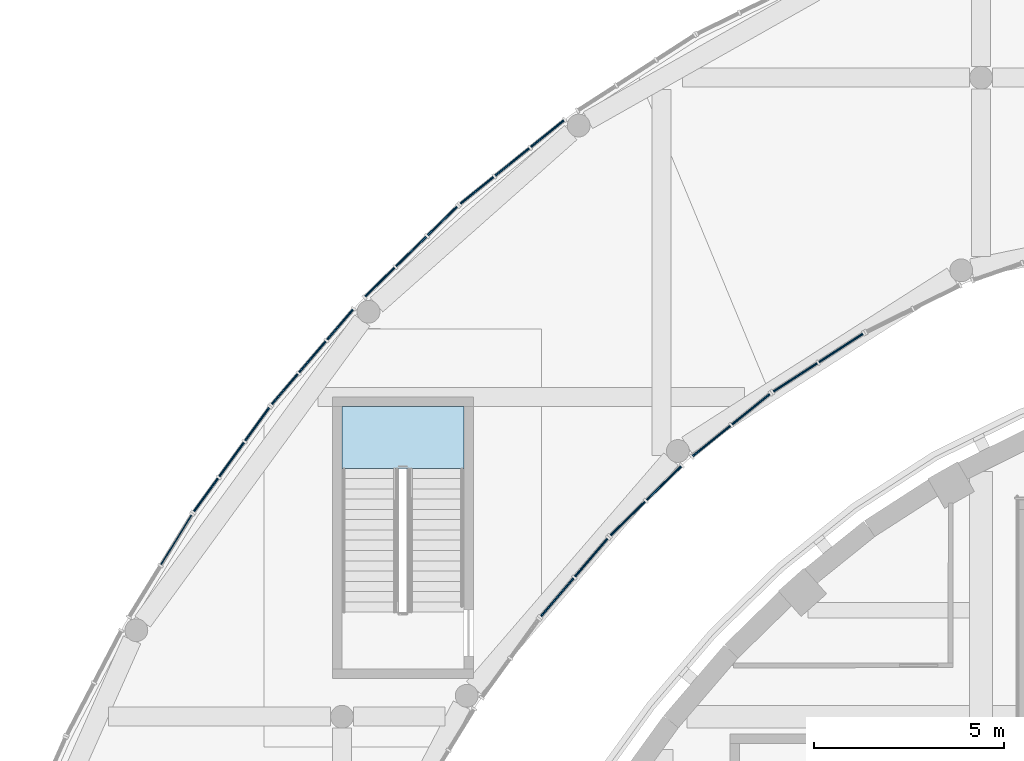
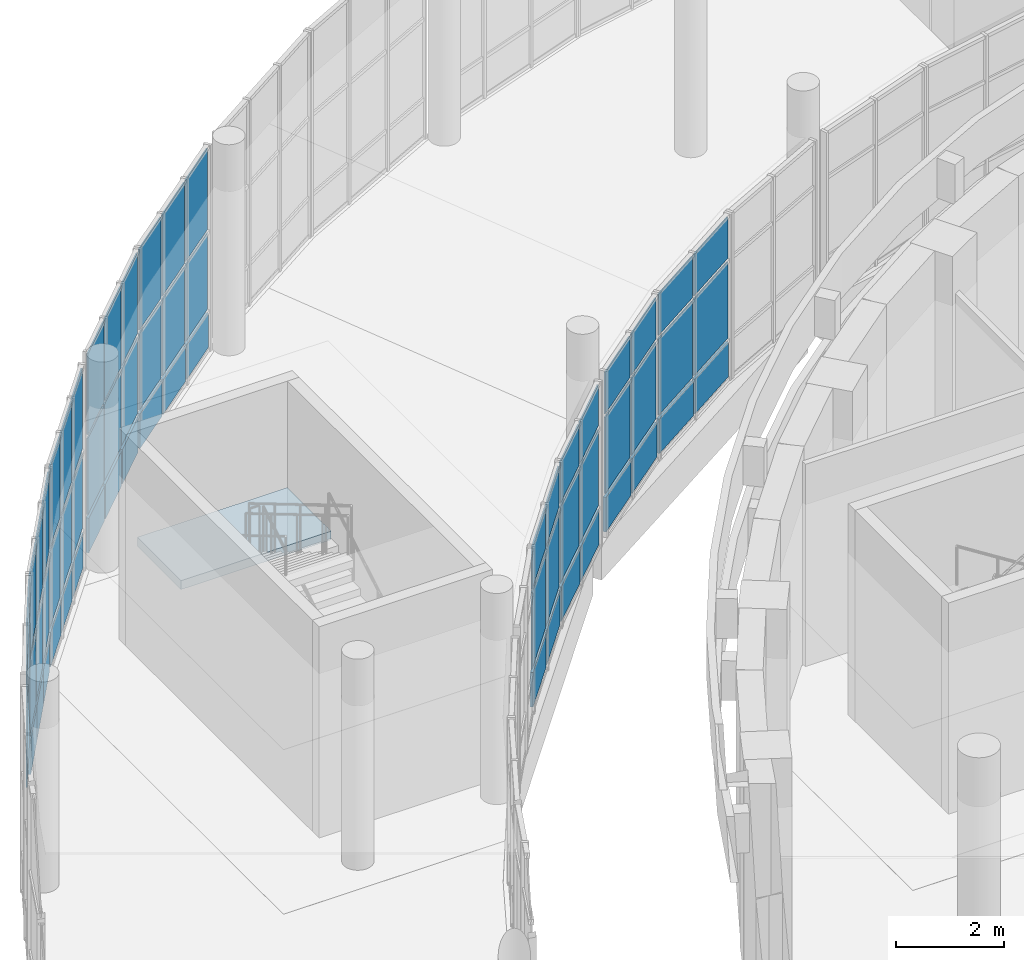
# One storey, part 51 of 119: 62 plates, 1 slab, 10 elements without a shape of their own.
"""IFC4 building model written with IfcOpenShell, lengths in metres."""

from ifc_helpers import new_model, si_unit, direction, frame, origin, origin_2d, place, context, subcontext, project, spatial, polyline, rectangle, outline, extrude, material, layer, layer_set, type_object, element, aggregate, save


model = new_model("IFC4")

# Units and contexts
model_context = context("Model", 3, precision=1e-05, world=origin(), true_north=direction((0.0, 1.0)))
body_context = subcontext(model_context, "Body", "Model", "MODEL_VIEW")
ifc_project = project(units=[si_unit("LENGTHUNIT", "METRE"), si_unit("AREAUNIT", "SQUARE_METRE"), si_unit("VOLUMEUNIT", "CUBIC_METRE"), si_unit("PLANEANGLEUNIT", "RADIAN"), si_unit("MASSUNIT", "GRAM", prefix="KILO")], contexts=[model_context])

# Site, building, storey
site_placement = place(None, origin())
site = spatial("IfcSite", under=ifc_project, at=site_placement, CompositionType="ELEMENT")
building_placement = place(site_placement, origin())
building = spatial("IfcBuilding", under=site, at=building_placement, Name="Larchfold Concert Hall", CompositionType="ELEMENT")
storey_placement = place(building_placement, frame((0.0, 0.0, 4.800048828125)))
storey = spatial("IfcBuildingStorey", under=building, at=storey_placement, Name="L01", CompositionType="ELEMENT", Elevation=4.800048828125)

# Curtain wall, plates
ifc_material_1 = material(Name="Anodised graphite aluminium curtain wall", Category="aluminium")
ifc_layer_1 = layer(ifc_material_1, 0.14990234375)
ifc_layer_set_1 = layer_set([ifc_layer_1], Name="Anodised graphite aluminium curtain wall")
curtain_wall_type = type_object("IfcCurtainWallType", Name="Curtain wall WG", PredefinedType="NOTDEFINED", material=ifc_layer_set_1)
curtain_wall_1_placement = place(storey_placement, origin())
curtain_wall_1 = element("IfcCurtainWall", 1, at=curtain_wall_1_placement, inside=storey, type_object=curtain_wall_type, Name="Curtain wall CW0158", PredefinedType="NOTDEFINED")
ifc_material_2 = material(Name="Insulated glazing unit, glass", Category="glass")
ifc_layer_2 = layer(ifc_material_2, 0.028076171875)
ifc_layer_set_2 = layer_set([ifc_layer_2], Name="Insulated glazing unit, glass")
plate_type_1 = type_object("IfcPlateType", Name="Glass panel 28", PredefinedType="CURTAIN_PANEL", material=ifc_layer_set_2)
plate_1_placement = place(storey_placement, frame((23.057861328125, 112.9404296875, 0.93994140625), z_axis=(0.0, 0.0, 1.0), x_axis=(0.650511975245, 0.759495997398, 0.0)))
plate_1 = element("IfcPlate", 2, at=plate_1_placement, type_object=plate_type_1, Name="CW0158 panel 1.2", PredefinedType="CURTAIN_PANEL", context=body_context, shape_type="SweptSolid", body=[
    extrude(rectangle(XDim=1.3134765625, YDim=0.028076171875, at=origin_2d()), origin(), (0.0, 0.0, 1.0), 1.719970703125),
])
plate_2_placement = place(storey_placement, frame((23.057861328125, 112.9404296875, 2.740234375), z_axis=(0.0, 0.0, 1.0), x_axis=(0.650511975245, 0.759495997398, 0.0)))
plate_2 = element("IfcPlate", 3, at=plate_2_placement, type_object=plate_type_1, Name="CW0158 panel 1.3", PredefinedType="CURTAIN_PANEL", context=body_context, shape_type="SweptSolid", body=[
    extrude(rectangle(XDim=1.3134765625, YDim=0.028076171875, at=origin_2d()), origin(), (0.0, 0.0, 1.0), 0.929931640625),
])
plate_3_placement = place(storey_placement, frame((23.951171875, 113.9833984375, 0.93994140625), z_axis=(0.0, 0.0, 1.0), x_axis=(0.650511975245, 0.759495997398, 0.0)))
plate_3 = element("IfcPlate", 4, at=plate_3_placement, type_object=plate_type_1, Name="CW0158 panel 2.2", PredefinedType="CURTAIN_PANEL", context=body_context, shape_type="SweptSolid", body=[
    extrude(rectangle(XDim=1.3134765625, YDim=0.028076171875, at=origin_2d()), origin(), (0.0, 0.0, 1.0), 1.719970703125),
])
plate_4_placement = place(storey_placement, frame((23.951171875, 113.9833984375, 2.740234375), z_axis=(0.0, 0.0, 1.0), x_axis=(0.650511975245, 0.759495997398, 0.0)))
plate_4 = element("IfcPlate", 5, at=plate_4_placement, type_object=plate_type_1, Name="CW0158 panel 2.3", PredefinedType="CURTAIN_PANEL", context=body_context, shape_type="SweptSolid", body=[
    extrude(rectangle(XDim=1.3134765625, YDim=0.028076171875, at=origin_2d()), origin(), (0.0, 0.0, 1.0), 0.929931640625),
])

curtain_wall_2_placement = place(storey_placement, origin())
curtain_wall_2 = element("IfcCurtainWall", 6, at=curtain_wall_2_placement, inside=storey, type_object=curtain_wall_type, Name="Curtain wall CW0159", PredefinedType="NOTDEFINED")
plate_5_placement = place(storey_placement, frame((24.912841796875, 115.01220703125, 0.93994140625), z_axis=(0.0, 0.0, 1.0), x_axis=(0.715031677223, 0.69909205443, 0.0)))
plate_5 = element("IfcPlate", 7, at=plate_5_placement, type_object=plate_type_1, Name="CW0159 panel 1.2", PredefinedType="CURTAIN_PANEL", context=body_context, shape_type="SweptSolid", body=[
    extrude(rectangle(XDim=1.265625, YDim=0.028076171875, at=origin_2d()), origin(), (0.0, 0.0, 1.0), 1.719970703125),
])
plate_6_placement = place(storey_placement, frame((24.912841796875, 115.01220703125, 2.740234375), z_axis=(0.0, 0.0, 1.0), x_axis=(0.715031677223, 0.69909205443, 0.0)))
plate_6 = element("IfcPlate", 8, at=plate_6_placement, type_object=plate_type_1, Name="CW0159 panel 1.3", PredefinedType="CURTAIN_PANEL", context=body_context, shape_type="SweptSolid", body=[
    extrude(rectangle(XDim=1.265625, YDim=0.028076171875, at=origin_2d()), origin(), (0.0, 0.0, 1.0), 0.929931640625),
])
plate_7_placement = place(storey_placement, frame((25.860595703125, 115.938720703125, 0.93994140625), z_axis=(0.0, 0.0, 1.0), x_axis=(0.715031677223, 0.69909205443, 0.0)))
plate_7 = element("IfcPlate", 9, at=plate_7_placement, type_object=plate_type_1, Name="CW0159 panel 2.2", PredefinedType="CURTAIN_PANEL", context=body_context, shape_type="SweptSolid", body=[
    extrude(rectangle(XDim=1.265625, YDim=0.028076171875, at=origin_2d()), origin(), (0.0, 0.0, 1.0), 1.719970703125),
])
plate_8_placement = place(storey_placement, frame((25.860595703125, 115.938720703125, 2.740234375), z_axis=(0.0, 0.0, 1.0), x_axis=(0.715031677223, 0.69909205443, 0.0)))
plate_8 = element("IfcPlate", 10, at=plate_8_placement, type_object=plate_type_1, Name="CW0159 panel 2.3", PredefinedType="CURTAIN_PANEL", context=body_context, shape_type="SweptSolid", body=[
    extrude(rectangle(XDim=1.265625, YDim=0.028076171875, at=origin_2d()), origin(), (0.0, 0.0, 1.0), 0.929931640625),
])

curtain_wall_3_placement = place(storey_placement, origin())
curtain_wall_3 = element("IfcCurtainWall", 11, at=curtain_wall_3_placement, inside=storey, type_object=curtain_wall_type, Name="Curtain wall CW0160", PredefinedType="NOTDEFINED")
plate_9_placement = place(storey_placement, frame((27.11376953125, 117.04931640625, 0.93994140625), z_axis=(0.0, 0.0, 1.0), x_axis=(0.779068419245, 0.626938911007, 0.0)))
plate_9 = element("IfcPlate", 12, at=plate_9_placement, type_object=plate_type_1, Name="CW0160 panel 1.2", PredefinedType="CURTAIN_PANEL", context=body_context, shape_type="SweptSolid", body=[
    extrude(rectangle(XDim=1.2685546875, YDim=0.028076171875, at=origin_2d()), origin(), (0.0, 0.0, 1.0), 1.719970703125),
])
plate_10_placement = place(storey_placement, frame((27.11376953125, 117.04931640625, 2.740234375), z_axis=(0.0, 0.0, 1.0), x_axis=(0.779068419245, 0.626938911007, 0.0)))
plate_10 = element("IfcPlate", 13, at=plate_10_placement, type_object=plate_type_1, Name="CW0160 panel 1.3", PredefinedType="CURTAIN_PANEL", context=body_context, shape_type="SweptSolid", body=[
    extrude(rectangle(XDim=1.2685546875, YDim=0.028076171875, at=origin_2d()), origin(), (0.0, 0.0, 1.0), 0.929931640625),
])
plate_11_placement = place(storey_placement, frame((28.14892578125, 117.882080078125, 0.93994140625), z_axis=(0.0, 0.0, 1.0), x_axis=(0.779068419245, 0.626938911007, 0.0)))
plate_11 = element("IfcPlate", 14, at=plate_11_placement, type_object=plate_type_1, Name="CW0160 panel 2.2", PredefinedType="CURTAIN_PANEL", context=body_context, shape_type="SweptSolid", body=[
    extrude(rectangle(XDim=1.2685546875, YDim=0.028076171875, at=origin_2d()), origin(), (0.0, 0.0, 1.0), 1.719970703125),
])
plate_12_placement = place(storey_placement, frame((28.14892578125, 117.882080078125, 2.740234375), z_axis=(0.0, 0.0, 1.0), x_axis=(0.779068419245, 0.626938911007, 0.0)))
plate_12 = element("IfcPlate", 15, at=plate_12_placement, type_object=plate_type_1, Name="CW0160 panel 2.3", PredefinedType="CURTAIN_PANEL", context=body_context, shape_type="SweptSolid", body=[
    extrude(rectangle(XDim=1.2685546875, YDim=0.028076171875, at=origin_2d()), origin(), (0.0, 0.0, 1.0), 0.929931640625),
])

curtain_wall_4_placement = place(storey_placement, origin())
curtain_wall_4 = element("IfcCurtainWall", 16, at=curtain_wall_4_placement, inside=storey, type_object=curtain_wall_type, Name="Curtain wall CW0161", PredefinedType="NOTDEFINED")
plate_13_placement = place(storey_placement, frame((29.31494140625, 118.720458984375, 0.93994140625), z_axis=(0.0, 0.0, 1.0), x_axis=(0.840478683813, 0.541844610619, 0.0)))
plate_13 = element("IfcPlate", 17, at=plate_13_placement, type_object=plate_type_1, Name="CW0161 panel 1.2", PredefinedType="CURTAIN_PANEL", context=body_context, shape_type="SweptSolid", body=[
    extrude(rectangle(XDim=1.3681640625, YDim=0.028076171875, at=origin_2d()), origin(), (0.0, 0.0, 1.0), 1.719970703125),
])
plate_14_placement = place(storey_placement, frame((29.31494140625, 118.720458984375, 2.740234375), z_axis=(0.0, 0.0, 1.0), x_axis=(0.840478683813, 0.541844610619, 0.0)))
plate_14 = element("IfcPlate", 18, at=plate_14_placement, type_object=plate_type_1, Name="CW0161 panel 1.3", PredefinedType="CURTAIN_PANEL", context=body_context, shape_type="SweptSolid", body=[
    extrude(rectangle(XDim=1.3681640625, YDim=0.028076171875, at=origin_2d()), origin(), (0.0, 0.0, 1.0), 0.929931640625),
])
plate_15_placement = place(storey_placement, frame((30.515380859375, 119.494384765625, 0.93994140625), z_axis=(0.0, 0.0, 1.0), x_axis=(0.840478683813, 0.541844610619, 0.0)))
plate_15 = element("IfcPlate", 19, at=plate_15_placement, type_object=plate_type_1, Name="CW0161 panel 2.2", PredefinedType="CURTAIN_PANEL", context=body_context, shape_type="SweptSolid", body=[
    extrude(rectangle(XDim=1.3681640625, YDim=0.028076171875, at=origin_2d()), origin(), (0.0, 0.0, 1.0), 1.719970703125),
])
plate_16_placement = place(storey_placement, frame((30.515380859375, 119.494384765625, 2.740234375), z_axis=(0.0, 0.0, 1.0), x_axis=(0.840478683813, 0.541844610619, 0.0)))
plate_16 = element("IfcPlate", 20, at=plate_16_placement, type_object=plate_type_1, Name="CW0161 panel 2.3", PredefinedType="CURTAIN_PANEL", context=body_context, shape_type="SweptSolid", body=[
    extrude(rectangle(XDim=1.3681640625, YDim=0.028076171875, at=origin_2d()), origin(), (0.0, 0.0, 1.0), 0.929931640625),
])

curtain_wall_5_placement = place(storey_placement, origin())
curtain_wall_5 = element("IfcCurtainWall", 21, at=curtain_wall_5_placement, inside=storey, type_object=curtain_wall_type, Name="Curtain wall CW0182", PredefinedType="NOTDEFINED")
plate_17_placement = place(storey_placement, frame((22.79736328125, 125.1279296875, 0.93994140625), z_axis=(0.0, 0.0, 1.0), x_axis=(-0.779030225774, -0.626986369334, 0.0)))
plate_17 = element("IfcPlate", 22, at=plate_17_placement, type_object=plate_type_1, Name="CW0182 panel 1.2", PredefinedType="CURTAIN_PANEL", context=body_context, shape_type="SweptSolid", body=[
    extrude(rectangle(XDim=1.11279296875, YDim=0.028076171875, at=origin_2d()), origin(), (0.0, 0.0, 1.0), 1.719970703125),
])
plate_18_placement = place(storey_placement, frame((22.79736328125, 125.1279296875, 2.740234375), z_axis=(0.0, 0.0, 1.0), x_axis=(-0.779030225774, -0.626986369334, 0.0)))
plate_18 = element("IfcPlate", 23, at=plate_18_placement, type_object=plate_type_1, Name="CW0182 panel 1.3", PredefinedType="CURTAIN_PANEL", context=body_context, shape_type="SweptSolid", body=[
    extrude(rectangle(XDim=1.11279296875, YDim=0.028076171875, at=origin_2d()), origin(), (0.0, 0.0, 1.0), 1.829833984375),
])
plate_19_placement = place(storey_placement, frame((21.872314453125, 124.38330078125, 0.93994140625), z_axis=(0.0, 0.0, 1.0), x_axis=(-0.779030225774, -0.626986369334, 0.0)))
plate_19 = element("IfcPlate", 24, at=plate_19_placement, type_object=plate_type_1, Name="CW0182 panel 2.2", PredefinedType="CURTAIN_PANEL", context=body_context, shape_type="SweptSolid", body=[
    extrude(rectangle(XDim=1.142578125, YDim=0.028076171875, at=origin_2d()), origin(), (0.0, 0.0, 1.0), 1.719970703125),
])
plate_20_placement = place(storey_placement, frame((21.872314453125, 124.38330078125, 2.740234375), z_axis=(0.0, 0.0, 1.0), x_axis=(-0.779030225774, -0.626986369334, 0.0)))
plate_20 = element("IfcPlate", 25, at=plate_20_placement, type_object=plate_type_1, Name="CW0182 panel 2.3", PredefinedType="CURTAIN_PANEL", context=body_context, shape_type="SweptSolid", body=[
    extrude(rectangle(XDim=1.142578125, YDim=0.028076171875, at=origin_2d()), origin(), (0.0, 0.0, 1.0), 1.829833984375),
])
plate_21_placement = place(storey_placement, frame((20.947021484375, 123.638671875, 0.93994140625), z_axis=(0.0, 0.0, 1.0), x_axis=(-0.779030225774, -0.626986369334, 0.0)))
plate_21 = element("IfcPlate", 26, at=plate_21_placement, type_object=plate_type_1, Name="CW0182 panel 3.2", PredefinedType="CURTAIN_PANEL", context=body_context, shape_type="SweptSolid", body=[
    extrude(rectangle(XDim=1.11279296875, YDim=0.028076171875, at=origin_2d()), origin(), (0.0, 0.0, 1.0), 1.719970703125),
])
plate_22_placement = place(storey_placement, frame((20.947021484375, 123.638671875, 2.740234375), z_axis=(0.0, 0.0, 1.0), x_axis=(-0.779030225774, -0.626986369334, 0.0)))
plate_22 = element("IfcPlate", 27, at=plate_22_placement, type_object=plate_type_1, Name="CW0182 panel 3.3", PredefinedType="CURTAIN_PANEL", context=body_context, shape_type="SweptSolid", body=[
    extrude(rectangle(XDim=1.11279296875, YDim=0.028076171875, at=origin_2d()), origin(), (0.0, 0.0, 1.0), 1.829833984375),
])

curtain_wall_6_placement = place(storey_placement, origin())
curtain_wall_6 = element("IfcCurtainWall", 28, at=curtain_wall_6_placement, inside=storey, type_object=curtain_wall_type, Name="Curtain wall CW0183", PredefinedType="NOTDEFINED")
plate_23_placement = place(storey_placement, frame((20.0390625, 122.833984375, 0.93994140625), z_axis=(0.0, 0.0, 1.0), x_axis=(-0.714946988038, -0.699178664074, 0.0)))
plate_23 = element("IfcPlate", 29, at=plate_23_placement, type_object=plate_type_1, Name="CW0183 panel 1.2", PredefinedType="CURTAIN_PANEL", context=body_context, shape_type="SweptSolid", body=[
    extrude(rectangle(XDim=1.076416015625, YDim=0.028076171875, at=origin_2d()), origin(), (0.0, 0.0, 1.0), 1.719970703125),
])
plate_24_placement = place(storey_placement, frame((20.0390625, 122.833984375, 2.740234375), z_axis=(0.0, 0.0, 1.0), x_axis=(-0.714946988038, -0.699178664074, 0.0)))
plate_24 = element("IfcPlate", 30, at=plate_24_placement, type_object=plate_type_1, Name="CW0183 panel 1.3", PredefinedType="CURTAIN_PANEL", context=body_context, shape_type="SweptSolid", body=[
    extrude(rectangle(XDim=1.076416015625, YDim=0.028076171875, at=origin_2d()), origin(), (0.0, 0.0, 1.0), 1.829833984375),
])
plate_25_placement = place(storey_placement, frame((19.216064453125, 122.02880859375, 0.93994140625), z_axis=(0.0, 0.0, 1.0), x_axis=(-0.714946988038, -0.699178664074, 0.0)))
plate_25 = element("IfcPlate", 31, at=plate_25_placement, type_object=plate_type_1, Name="CW0183 panel 2.2", PredefinedType="CURTAIN_PANEL", context=body_context, shape_type="SweptSolid", body=[
    extrude(rectangle(XDim=1.1064453125, YDim=0.028076171875, at=origin_2d()), origin(), (0.0, 0.0, 1.0), 1.719970703125),
])
plate_26_placement = place(storey_placement, frame((19.216064453125, 122.02880859375, 2.740234375), z_axis=(0.0, 0.0, 1.0), x_axis=(-0.714946988038, -0.699178664074, 0.0)))
plate_26 = element("IfcPlate", 32, at=plate_26_placement, type_object=plate_type_1, Name="CW0183 panel 2.3", PredefinedType="CURTAIN_PANEL", context=body_context, shape_type="SweptSolid", body=[
    extrude(rectangle(XDim=1.1064453125, YDim=0.028076171875, at=origin_2d()), origin(), (0.0, 0.0, 1.0), 1.829833984375),
])
plate_27_placement = place(storey_placement, frame((18.392822265625, 121.223876953125, 0.93994140625), z_axis=(0.0, 0.0, 1.0), x_axis=(-0.714946988038, -0.699178664074, 0.0)))
plate_27 = element("IfcPlate", 33, at=plate_27_placement, type_object=plate_type_1, Name="CW0183 panel 3.2", PredefinedType="CURTAIN_PANEL", context=body_context, shape_type="SweptSolid", body=[
    extrude(rectangle(XDim=1.076416015625, YDim=0.028076171875, at=origin_2d()), origin(), (0.0, 0.0, 1.0), 1.719970703125),
])
plate_28_placement = place(storey_placement, frame((18.392822265625, 121.223876953125, 2.740234375), z_axis=(0.0, 0.0, 1.0), x_axis=(-0.714946988038, -0.699178664074, 0.0)))
plate_28 = element("IfcPlate", 34, at=plate_28_placement, type_object=plate_type_1, Name="CW0183 panel 3.3", PredefinedType="CURTAIN_PANEL", context=body_context, shape_type="SweptSolid", body=[
    extrude(rectangle(XDim=1.076416015625, YDim=0.028076171875, at=origin_2d()), origin(), (0.0, 0.0, 1.0), 1.829833984375),
])

curtain_wall_7_placement = place(storey_placement, origin())
curtain_wall_7 = element("IfcCurtainWall", 35, at=curtain_wall_7_placement, inside=storey, type_object=curtain_wall_type, Name="Curtain wall CW0184", PredefinedType="NOTDEFINED")
plate_29_placement = place(storey_placement, frame((17.347412109375, 120.108154296875, 0.93994140625), z_axis=(0.0, 0.0, 1.0), x_axis=(-0.650572085911, -0.759444508199, 0.0)))
plate_29 = element("IfcPlate", 36, at=plate_29_placement, type_object=plate_type_1, Name="CW0184 panel 1.2", PredefinedType="CURTAIN_PANEL", context=body_context, shape_type="SweptSolid", body=[
    extrude(rectangle(XDim=1.041015625, YDim=0.028076171875, at=origin_2d()), origin(), (0.0, 0.0, 1.0), 1.719970703125),
])
plate_30_placement = place(storey_placement, frame((17.347412109375, 120.108154296875, 2.740234375), z_axis=(0.0, 0.0, 1.0), x_axis=(-0.650572085911, -0.759444508199, 0.0)))
plate_30 = element("IfcPlate", 37, at=plate_30_placement, type_object=plate_type_1, Name="CW0184 panel 1.3", PredefinedType="CURTAIN_PANEL", context=body_context, shape_type="SweptSolid", body=[
    extrude(rectangle(XDim=1.041015625, YDim=0.028076171875, at=origin_2d()), origin(), (0.0, 0.0, 1.0), 1.829833984375),
])
plate_31_placement = place(storey_placement, frame((16.62158203125, 119.2607421875, 0.93994140625), z_axis=(0.0, 0.0, 1.0), x_axis=(-0.650572085911, -0.759444508199, 0.0)))
plate_31 = element("IfcPlate", 38, at=plate_31_placement, type_object=plate_type_1, Name="CW0184 panel 2.2", PredefinedType="CURTAIN_PANEL", context=body_context, shape_type="SweptSolid", body=[
    extrude(rectangle(XDim=1.071044921875, YDim=0.028076171875, at=origin_2d()), origin(), (0.0, 0.0, 1.0), 1.719970703125),
])
plate_32_placement = place(storey_placement, frame((16.62158203125, 119.2607421875, 2.740234375), z_axis=(0.0, 0.0, 1.0), x_axis=(-0.650572085911, -0.759444508199, 0.0)))
plate_32 = element("IfcPlate", 39, at=plate_32_placement, type_object=plate_type_1, Name="CW0184 panel 2.3", PredefinedType="CURTAIN_PANEL", context=body_context, shape_type="SweptSolid", body=[
    extrude(rectangle(XDim=1.071044921875, YDim=0.028076171875, at=origin_2d()), origin(), (0.0, 0.0, 1.0), 1.829833984375),
])
plate_33_placement = place(storey_placement, frame((15.8955078125, 118.413330078125, 0.93994140625), z_axis=(0.0, 0.0, 1.0), x_axis=(-0.650572085911, -0.759444508199, 0.0)))
plate_33 = element("IfcPlate", 40, at=plate_33_placement, type_object=plate_type_1, Name="CW0184 panel 3.2", PredefinedType="CURTAIN_PANEL", context=body_context, shape_type="SweptSolid", body=[
    extrude(rectangle(XDim=1.041015625, YDim=0.028076171875, at=origin_2d()), origin(), (0.0, 0.0, 1.0), 1.719970703125),
])
plate_34_placement = place(storey_placement, frame((15.8955078125, 118.413330078125, 2.740234375), z_axis=(0.0, 0.0, 1.0), x_axis=(-0.650572085911, -0.759444508199, 0.0)))
plate_34 = element("IfcPlate", 41, at=plate_34_placement, type_object=plate_type_1, Name="CW0184 panel 3.3", PredefinedType="CURTAIN_PANEL", context=body_context, shape_type="SweptSolid", body=[
    extrude(rectangle(XDim=1.041015625, YDim=0.028076171875, at=origin_2d()), origin(), (0.0, 0.0, 1.0), 1.829833984375),
])

curtain_wall_8_placement = place(storey_placement, origin())
curtain_wall_8 = element("IfcCurtainWall", 42, at=curtain_wall_8_placement, inside=storey, type_object=curtain_wall_type, Name="Curtain wall CW0185", PredefinedType="NOTDEFINED")
plate_35_placement = place(storey_placement, frame((15.16845703125, 117.489990234375, 0.93994140625), z_axis=(0.0, 0.0, 1.0), x_axis=(-0.586641382541, -0.809846830142, 0.0)))
plate_35 = element("IfcPlate", 43, at=plate_35_placement, type_object=plate_type_1, Name="CW0185 panel 1.2", PredefinedType="CURTAIN_PANEL", context=body_context, shape_type="SweptSolid", body=[
    extrude(rectangle(XDim=1.0712890625, YDim=0.028076171875, at=origin_2d()), origin(), (0.0, 0.0, 1.0), 1.719970703125),
])
plate_36_placement = place(storey_placement, frame((15.16845703125, 117.489990234375, 2.740234375), z_axis=(0.0, 0.0, 1.0), x_axis=(-0.586641382541, -0.809846830142, 0.0)))
plate_36 = element("IfcPlate", 44, at=plate_36_placement, type_object=plate_type_1, Name="CW0185 panel 1.3", PredefinedType="CURTAIN_PANEL", context=body_context, shape_type="SweptSolid", body=[
    extrude(rectangle(XDim=1.0712890625, YDim=0.028076171875, at=origin_2d()), origin(), (0.0, 0.0, 1.0), 1.829833984375),
])
plate_37_placement = place(storey_placement, frame((14.49609375, 116.561767578125, 0.93994140625), z_axis=(0.0, 0.0, 1.0), x_axis=(-0.586641382541, -0.809846830142, 0.0)))
plate_37 = element("IfcPlate", 45, at=plate_37_placement, type_object=plate_type_1, Name="CW0185 panel 2.2", PredefinedType="CURTAIN_PANEL", context=body_context, shape_type="SweptSolid", body=[
    extrude(rectangle(XDim=1.101318359375, YDim=0.028076171875, at=origin_2d()), origin(), (0.0, 0.0, 1.0), 1.719970703125),
])
plate_38_placement = place(storey_placement, frame((14.49609375, 116.561767578125, 2.740234375), z_axis=(0.0, 0.0, 1.0), x_axis=(-0.586641382541, -0.809846830142, 0.0)))
plate_38 = element("IfcPlate", 46, at=plate_38_placement, type_object=plate_type_1, Name="CW0185 panel 2.3", PredefinedType="CURTAIN_PANEL", context=body_context, shape_type="SweptSolid", body=[
    extrude(rectangle(XDim=1.101318359375, YDim=0.028076171875, at=origin_2d()), origin(), (0.0, 0.0, 1.0), 1.829833984375),
])
plate_39_placement = place(storey_placement, frame((13.823486328125, 115.633544921875, 0.93994140625), z_axis=(0.0, 0.0, 1.0), x_axis=(-0.586641382541, -0.809846830142, 0.0)))
plate_39 = element("IfcPlate", 47, at=plate_39_placement, type_object=plate_type_1, Name="CW0185 panel 3.2", PredefinedType="CURTAIN_PANEL", context=body_context, shape_type="SweptSolid", body=[
    extrude(rectangle(XDim=1.0712890625, YDim=0.028076171875, at=origin_2d()), origin(), (0.0, 0.0, 1.0), 1.719970703125),
])
plate_40_placement = place(storey_placement, frame((13.823486328125, 115.633544921875, 2.740234375), z_axis=(0.0, 0.0, 1.0), x_axis=(-0.586641382541, -0.809846830142, 0.0)))
plate_40 = element("IfcPlate", 48, at=plate_40_placement, type_object=plate_type_1, Name="CW0185 panel 3.3", PredefinedType="CURTAIN_PANEL", context=body_context, shape_type="SweptSolid", body=[
    extrude(rectangle(XDim=1.0712890625, YDim=0.028076171875, at=origin_2d()), origin(), (0.0, 0.0, 1.0), 1.829833984375),
])

curtain_wall_9_placement = place(storey_placement, origin())
curtain_wall_9 = element("IfcCurtainWall", 49, at=curtain_wall_9_placement, inside=storey, type_object=curtain_wall_type, Name="Curtain wall CW0186", PredefinedType="NOTDEFINED")
plate_41_placement = place(storey_placement, frame((13.042236328125, 114.44921875, 0.93994140625), z_axis=(0.0, 0.0, 1.0), x_axis=(-0.524080591715, -0.851668675828, 0.0)))
plate_41 = element("IfcPlate", 50, at=plate_41_placement, type_object=plate_type_1, Name="CW0186 panel 1.2", PredefinedType="CURTAIN_PANEL", context=body_context, shape_type="SweptSolid", body=[
    extrude(rectangle(XDim=1.5283203125, YDim=0.028076171875, at=origin_2d()), origin(), (0.0, 0.0, 1.0), 1.719970703125),
])
plate_42_placement = place(storey_placement, frame((13.042236328125, 114.44921875, 2.740234375), z_axis=(0.0, 0.0, 1.0), x_axis=(-0.524080591715, -0.851668675828, 0.0)))
plate_42 = element("IfcPlate", 51, at=plate_42_placement, type_object=plate_type_1, Name="CW0186 panel 1.3", PredefinedType="CURTAIN_PANEL", context=body_context, shape_type="SweptSolid", body=[
    extrude(rectangle(XDim=1.5283203125, YDim=0.028076171875, at=origin_2d()), origin(), (0.0, 0.0, 1.0), 1.829833984375),
])
aggregate(curtain_wall_9, [plate_41, plate_42])

# Plate
ifc_material_3 = material(Name="White insulated panel")
ifc_layer_3 = layer(ifc_material_3, 0.06005859375)
ifc_layer_set_3 = layer_set([ifc_layer_3], Name="White insulated panel")
plate_type_2 = type_object("IfcPlateType", Name="Insulated spandrel panel 60", PredefinedType="CURTAIN_PANEL", material=ifc_layer_set_3)
plate_43_placement = place(storey_placement, frame((23.057861328125, 112.9404296875, 0.080078125), z_axis=(0.0, 0.0, 1.0), x_axis=(0.650511975245, 0.759495997398, 0.0)))
plate_43 = element("IfcPlate", 52, at=plate_43_placement, type_object=plate_type_2, Name="CW0158 panel 1.1", PredefinedType="CURTAIN_PANEL", context=body_context, shape_type="SweptSolid", body=[
    extrude(rectangle(XDim=1.3134765625, YDim=0.06005859375, at=origin_2d()), origin(), (0.0, 0.0, 1.0), 0.77978515625),
])

plate_44_placement = place(storey_placement, frame((23.951171875, 113.9833984375, 0.080078125), z_axis=(0.0, 0.0, 1.0), x_axis=(0.650511975245, 0.759495997398, 0.0)))
plate_44 = element("IfcPlate", 53, at=plate_44_placement, type_object=plate_type_2, Name="CW0158 panel 2.1", PredefinedType="CURTAIN_PANEL", context=body_context, shape_type="SweptSolid", body=[
    extrude(rectangle(XDim=1.3134765625, YDim=0.06005859375, at=origin_2d()), origin(), (0.0, 0.0, 1.0), 0.77978515625),
])

aggregate(curtain_wall_1, [plate_43, plate_1, plate_2, plate_44, plate_3, plate_4])

plate_45_placement = place(storey_placement, frame((24.912841796875, 115.01220703125, 0.080078125), z_axis=(0.0, 0.0, 1.0), x_axis=(0.715031677223, 0.69909205443, 0.0)))
plate_45 = element("IfcPlate", 54, at=plate_45_placement, type_object=plate_type_2, Name="CW0159 panel 1.1", PredefinedType="CURTAIN_PANEL", context=body_context, shape_type="SweptSolid", body=[
    extrude(rectangle(XDim=1.265625, YDim=0.06005859375, at=origin_2d()), origin(), (0.0, 0.0, 1.0), 0.77978515625),
])

plate_46_placement = place(storey_placement, frame((25.860595703125, 115.938720703125, 0.080078125), z_axis=(0.0, 0.0, 1.0), x_axis=(0.715031677223, 0.69909205443, 0.0)))
plate_46 = element("IfcPlate", 55, at=plate_46_placement, type_object=plate_type_2, Name="CW0159 panel 2.1", PredefinedType="CURTAIN_PANEL", context=body_context, shape_type="SweptSolid", body=[
    extrude(rectangle(XDim=1.265625, YDim=0.06005859375, at=origin_2d()), origin(), (0.0, 0.0, 1.0), 0.77978515625),
])

aggregate(curtain_wall_2, [plate_45, plate_5, plate_6, plate_46, plate_7, plate_8])

plate_47_placement = place(storey_placement, frame((27.11376953125, 117.04931640625, 0.080078125), z_axis=(0.0, 0.0, 1.0), x_axis=(0.779068419245, 0.626938911007, 0.0)))
plate_47 = element("IfcPlate", 56, at=plate_47_placement, type_object=plate_type_2, Name="CW0160 panel 1.1", PredefinedType="CURTAIN_PANEL", context=body_context, shape_type="SweptSolid", body=[
    extrude(rectangle(XDim=1.2685546875, YDim=0.06005859375, at=origin_2d()), origin(), (0.0, 0.0, 1.0), 0.77978515625),
])

plate_48_placement = place(storey_placement, frame((28.14892578125, 117.882080078125, 0.080078125), z_axis=(0.0, 0.0, 1.0), x_axis=(0.779068419245, 0.626938911007, 0.0)))
plate_48 = element("IfcPlate", 57, at=plate_48_placement, type_object=plate_type_2, Name="CW0160 panel 2.1", PredefinedType="CURTAIN_PANEL", context=body_context, shape_type="SweptSolid", body=[
    extrude(rectangle(XDim=1.2685546875, YDim=0.06005859375, at=origin_2d()), origin(), (0.0, 0.0, 1.0), 0.77978515625),
])

aggregate(curtain_wall_3, [plate_47, plate_9, plate_10, plate_48, plate_11, plate_12])

plate_49_placement = place(storey_placement, frame((29.31494140625, 118.720458984375, 0.080078125), z_axis=(0.0, 0.0, 1.0), x_axis=(0.840478683813, 0.541844610619, 0.0)))
plate_49 = element("IfcPlate", 58, at=plate_49_placement, type_object=plate_type_2, Name="CW0161 panel 1.1", PredefinedType="CURTAIN_PANEL", context=body_context, shape_type="SweptSolid", body=[
    extrude(rectangle(XDim=1.3681640625, YDim=0.06005859375, at=origin_2d()), origin(), (0.0, 0.0, 1.0), 0.77978515625),
])

plate_50_placement = place(storey_placement, frame((30.515380859375, 119.494384765625, 0.080078125), z_axis=(0.0, 0.0, 1.0), x_axis=(0.840478683813, 0.541844610619, 0.0)))
plate_50 = element("IfcPlate", 59, at=plate_50_placement, type_object=plate_type_2, Name="CW0161 panel 2.1", PredefinedType="CURTAIN_PANEL", context=body_context, shape_type="SweptSolid", body=[
    extrude(rectangle(XDim=1.3681640625, YDim=0.06005859375, at=origin_2d()), origin(), (0.0, 0.0, 1.0), 0.77978515625),
])

aggregate(curtain_wall_4, [plate_49, plate_13, plate_14, plate_50, plate_15, plate_16])

plate_51_placement = place(storey_placement, frame((22.79736328125, 125.1279296875, 0.080078125), z_axis=(0.0, 0.0, 1.0), x_axis=(-0.779030225774, -0.626986369334, 0.0)))
plate_51 = element("IfcPlate", 60, at=plate_51_placement, type_object=plate_type_2, Name="CW0182 panel 1.1", PredefinedType="CURTAIN_PANEL", context=body_context, shape_type="SweptSolid", body=[
    extrude(rectangle(XDim=1.11279296875, YDim=0.06005859375, at=origin_2d()), origin(), (0.0, 0.0, 1.0), 0.77978515625),
])

plate_52_placement = place(storey_placement, frame((21.872314453125, 124.38330078125, 0.080078125), z_axis=(0.0, 0.0, 1.0), x_axis=(-0.779030225774, -0.626986369334, 0.0)))
plate_52 = element("IfcPlate", 61, at=plate_52_placement, type_object=plate_type_2, Name="CW0182 panel 2.1", PredefinedType="CURTAIN_PANEL", context=body_context, shape_type="SweptSolid", body=[
    extrude(rectangle(XDim=1.142578125, YDim=0.06005859375, at=origin_2d()), origin(), (0.0, 0.0, 1.0), 0.77978515625),
])

plate_53_placement = place(storey_placement, frame((20.947021484375, 123.638671875, 0.080078125), z_axis=(0.0, 0.0, 1.0), x_axis=(-0.779030225774, -0.626986369334, 0.0)))
plate_53 = element("IfcPlate", 62, at=plate_53_placement, type_object=plate_type_2, Name="CW0182 panel 3.1", PredefinedType="CURTAIN_PANEL", context=body_context, shape_type="SweptSolid", body=[
    extrude(rectangle(XDim=1.11279296875, YDim=0.06005859375, at=origin_2d()), origin(), (0.0, 0.0, 1.0), 0.77978515625),
])

aggregate(curtain_wall_5, [plate_51, plate_17, plate_18, plate_52, plate_19, plate_20, plate_53, plate_21, plate_22])

plate_54_placement = place(storey_placement, frame((20.0390625, 122.833984375, 0.080078125), z_axis=(0.0, 0.0, 1.0), x_axis=(-0.714946988038, -0.699178664074, 0.0)))
plate_54 = element("IfcPlate", 63, at=plate_54_placement, type_object=plate_type_2, Name="CW0183 panel 1.1", PredefinedType="CURTAIN_PANEL", context=body_context, shape_type="SweptSolid", body=[
    extrude(rectangle(XDim=1.076416015625, YDim=0.06005859375, at=origin_2d()), origin(), (0.0, 0.0, 1.0), 0.77978515625),
])

plate_55_placement = place(storey_placement, frame((19.216064453125, 122.02880859375, 0.080078125), z_axis=(0.0, 0.0, 1.0), x_axis=(-0.714946988038, -0.699178664074, 0.0)))
plate_55 = element("IfcPlate", 64, at=plate_55_placement, type_object=plate_type_2, Name="CW0183 panel 2.1", PredefinedType="CURTAIN_PANEL", context=body_context, shape_type="SweptSolid", body=[
    extrude(rectangle(XDim=1.1064453125, YDim=0.06005859375, at=origin_2d()), origin(), (0.0, 0.0, 1.0), 0.77978515625),
])

plate_56_placement = place(storey_placement, frame((18.392822265625, 121.223876953125, 0.080078125), z_axis=(0.0, 0.0, 1.0), x_axis=(-0.714946988038, -0.699178664074, 0.0)))
plate_56 = element("IfcPlate", 65, at=plate_56_placement, type_object=plate_type_2, Name="CW0183 panel 3.1", PredefinedType="CURTAIN_PANEL", context=body_context, shape_type="SweptSolid", body=[
    extrude(rectangle(XDim=1.076416015625, YDim=0.06005859375, at=origin_2d()), origin(), (0.0, 0.0, 1.0), 0.77978515625),
])

aggregate(curtain_wall_6, [plate_54, plate_23, plate_24, plate_55, plate_25, plate_26, plate_56, plate_27, plate_28])

plate_57_placement = place(storey_placement, frame((17.347412109375, 120.108154296875, 0.080078125), z_axis=(0.0, 0.0, 1.0), x_axis=(-0.650572085911, -0.759444508199, 0.0)))
plate_57 = element("IfcPlate", 66, at=plate_57_placement, type_object=plate_type_2, Name="CW0184 panel 1.1", PredefinedType="CURTAIN_PANEL", context=body_context, shape_type="SweptSolid", body=[
    extrude(rectangle(XDim=1.041015625, YDim=0.06005859375, at=origin_2d()), origin(), (0.0, 0.0, 1.0), 0.77978515625),
])

plate_58_placement = place(storey_placement, frame((16.62158203125, 119.2607421875, 0.080078125), z_axis=(0.0, 0.0, 1.0), x_axis=(-0.650572085911, -0.759444508199, 0.0)))
plate_58 = element("IfcPlate", 67, at=plate_58_placement, type_object=plate_type_2, Name="CW0184 panel 2.1", PredefinedType="CURTAIN_PANEL", context=body_context, shape_type="SweptSolid", body=[
    extrude(rectangle(XDim=1.071044921875, YDim=0.06005859375, at=origin_2d()), origin(), (0.0, 0.0, 1.0), 0.77978515625),
])

plate_59_placement = place(storey_placement, frame((15.8955078125, 118.413330078125, 0.080078125), z_axis=(0.0, 0.0, 1.0), x_axis=(-0.650572085911, -0.759444508199, 0.0)))
plate_59 = element("IfcPlate", 68, at=plate_59_placement, type_object=plate_type_2, Name="CW0184 panel 3.1", PredefinedType="CURTAIN_PANEL", context=body_context, shape_type="SweptSolid", body=[
    extrude(rectangle(XDim=1.041015625, YDim=0.06005859375, at=origin_2d()), origin(), (0.0, 0.0, 1.0), 0.77978515625),
])

aggregate(curtain_wall_7, [plate_57, plate_29, plate_30, plate_58, plate_31, plate_32, plate_59, plate_33, plate_34])

plate_60_placement = place(storey_placement, frame((15.16845703125, 117.489990234375, 0.080078125), z_axis=(0.0, 0.0, 1.0), x_axis=(-0.586641382541, -0.809846830142, 0.0)))
plate_60 = element("IfcPlate", 69, at=plate_60_placement, type_object=plate_type_2, Name="CW0185 panel 1.1", PredefinedType="CURTAIN_PANEL", context=body_context, shape_type="SweptSolid", body=[
    extrude(rectangle(XDim=1.0712890625, YDim=0.06005859375, at=origin_2d()), origin(), (0.0, 0.0, 1.0), 0.77978515625),
])

plate_61_placement = place(storey_placement, frame((14.49609375, 116.561767578125, 0.080078125), z_axis=(0.0, 0.0, 1.0), x_axis=(-0.586641382541, -0.809846830142, 0.0)))
plate_61 = element("IfcPlate", 70, at=plate_61_placement, type_object=plate_type_2, Name="CW0185 panel 2.1", PredefinedType="CURTAIN_PANEL", context=body_context, shape_type="SweptSolid", body=[
    extrude(rectangle(XDim=1.101318359375, YDim=0.06005859375, at=origin_2d()), origin(), (0.0, 0.0, 1.0), 0.77978515625),
])

plate_62_placement = place(storey_placement, frame((13.823486328125, 115.633544921875, 0.080078125), z_axis=(0.0, 0.0, 1.0), x_axis=(-0.586641382541, -0.809846830142, 0.0)))
plate_62 = element("IfcPlate", 71, at=plate_62_placement, type_object=plate_type_2, Name="CW0185 panel 3.1", PredefinedType="CURTAIN_PANEL", context=body_context, shape_type="SweptSolid", body=[
    extrude(rectangle(XDim=1.0712890625, YDim=0.06005859375, at=origin_2d()), origin(), (0.0, 0.0, 1.0), 0.77978515625),
])

aggregate(curtain_wall_8, [plate_60, plate_35, plate_36, plate_61, plate_37, plate_38, plate_62, plate_39, plate_40])

# Stair, slab
ifc_material_4 = material(Name="Concrete C35/45", Category="concrete")
stair_type = type_object("IfcStairType", Name="Stair RC half-turn enclosed", PredefinedType="HALF_TURN_STAIR", material=ifc_material_4)
stair_placement = place(storey_placement, origin())
stair = element("IfcStair", 72, at=stair_placement, inside=storey, type_object=stair_type, Name="Stair WG3", PredefinedType="HALF_TURN_STAIR")
ifc_material_5 = material(Name="Concrete C35/45", Category="concrete")
ifc_layer_4 = layer(ifc_material_5, 0.199951171875)
ifc_layer_set_4 = layer_set([ifc_layer_4], Name="Concrete C35/45")
slab_type = type_object("IfcSlabType", Name="Stair landing RC 200", PredefinedType="LANDING", material=ifc_layer_set_4)
slab_placement = place(storey_placement, frame((0.0, 0.0, 2.199951171875)))
slab = element("IfcSlab", 73, at=slab_placement, type_object=slab_type, Name="ST25 landing 1", PredefinedType="LANDING", context=body_context, shape_type="SweptSolid", body=[
    extrude(outline(polyline([(20.60009765625, 116.330078125), (20.60009765625, 117.949951171875), (17.400146484375, 117.949951171875), (17.400146484375, 116.330078125), (20.60009765625, 116.330078125)])), origin(), (0.0, 0.0, 1.0), 0.199951171875),
])
aggregate(stair, [slab])

save(model, "model.ifc")
